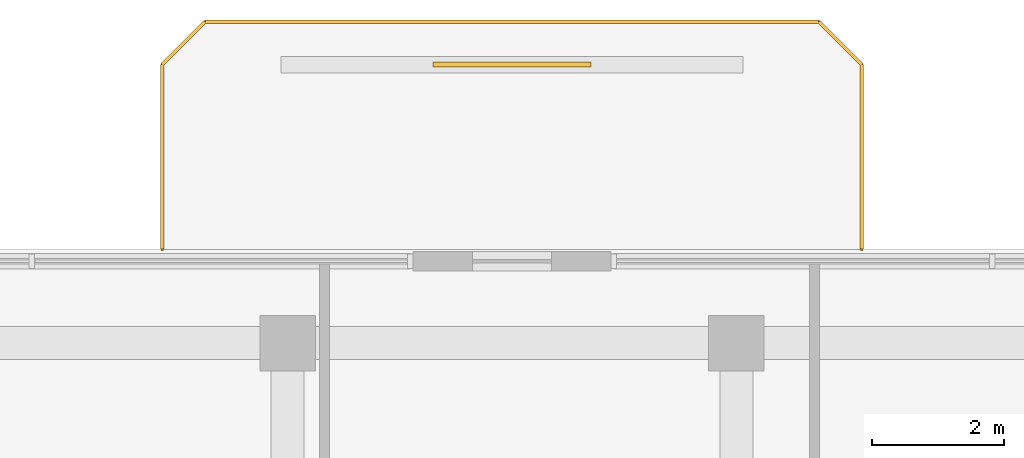
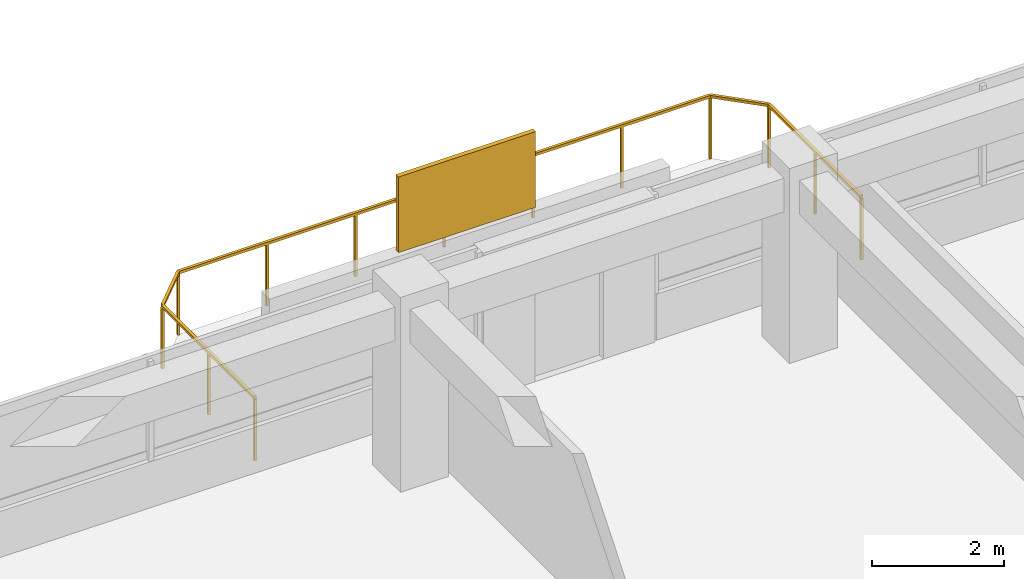
# One storey, part 14 of 14: 1 railing, 1 shading device.
"""IFC4 building model written with IfcOpenShell, lengths in metres."""

import ifcopenshell
import ifcopenshell.guid

model = None  # the IFC model being written
_history = None  # IfcOwnerHistory: only IFC2X3 demands one
_inside = {}  # id of a spatial element -> (the spatial element, [elements in it])
_under = {}  # id of a project, library or spatial element -> (it, [spatial elements below it])
_declared = {}  # id of a project -> (the project, [libraries it declares])
_typed = {}  # id of a type object -> (the type object, [elements of that type])
_made_of = {}  # id of a material, layer set ... -> (it, [elements and type objects made of it])


def new_model(schema):
    """Start an empty IFC model of exactly this schema.

    Asked for "IFC4X3", IfcOpenShell would pick the latest addendum, in which some entities
    have other attributes; the version numbers below select the first issue.
    IFC2X3 requires an IfcOwnerHistory on every rooted entity: one is made here for all.
    """
    global model, _history
    if schema == "IFC4X3":
        model = ifcopenshell.file(schema_version=(4, 3, 0, 0))
    else:
        model = ifcopenshell.file(schema=schema)
    _inside.clear()
    _under.clear()
    _declared.clear()
    _typed.clear()
    _made_of.clear()
    _history = None
    if model.schema == "IFC2X3":
        org = make("IfcOrganization", Name="unknown")
        user = make(
            "IfcPersonAndOrganization",
            ThePerson=make("IfcPerson", FamilyName="unknown"),
            TheOrganization=org,
        )
        app = make(
            "IfcApplication",
            ApplicationDeveloper=org,
            Version="unknown",
            ApplicationFullName="unknown",
            ApplicationIdentifier="unknown",
        )
        _history = make(
            "IfcOwnerHistory",
            OwningUser=user,
            OwningApplication=app,
            ChangeAction="ADDED",
            CreationDate=0,
        )
    return model


def make(cls, **values):
    """One entity of the class cls with the attributes given. An attribute that is None is left unset."""
    return model.create_entity(
        cls, **{name: value for name, value in values.items() if value is not None}
    )


def rooted(cls, **values):
    """An entity with a GlobalId (a new one), such as an element, a storey or a relation."""
    return make(cls, GlobalId=ifcopenshell.guid.new(), OwnerHistory=_history, **values)


def si_unit(unit_type, name, prefix=None):
    """IfcSIUnit, for example si_unit("LENGTHUNIT", "METRE", prefix="MILLI")."""
    return make("IfcSIUnit", UnitType=unit_type, Prefix=prefix, Name=name)


def derived_unit(unit_type, elements):
    """IfcDerivedUnit: a product of units, each with its exponent."""
    return make(
        "IfcDerivedUnit",
        Elements=[
            make("IfcDerivedUnitElement", Unit=unit, Exponent=power)
            for unit, power in elements
        ],
        UnitType=unit_type,
    )


def assignment(units):
    """IfcUnitAssignment: the units of a project."""
    return None if units is None else make("IfcUnitAssignment", Units=units)


def point(xyz):
    """IfcCartesianPoint."""
    return None if xyz is None else make("IfcCartesianPoint", Coordinates=xyz)


def direction(xyz):
    """IfcDirection."""
    return None if xyz is None else make("IfcDirection", DirectionRatios=xyz)


def frame(location, z_axis=None, x_axis=None):
    """IfcAxis2Placement3D, a coordinate frame: its origin and axes. An axis left out is left unset."""
    return make(
        "IfcAxis2Placement3D",
        Location=point(location),
        Axis=direction(z_axis),
        RefDirection=direction(x_axis),
    )


def frame_2d(location, x_axis=None):
    """IfcAxis2Placement2D, a coordinate frame in the plane: its origin and x axis."""
    return make(
        "IfcAxis2Placement2D", Location=point(location), RefDirection=direction(x_axis)
    )


def origin():
    """The frame at (0, 0, 0) with its axes left unset."""
    return frame((0.0, 0.0, 0.0))


def origin_2d():
    """The frame at (0, 0) in the plane with its x axis left unset."""
    return frame_2d((0.0, 0.0))


def place(relative_to, where):
    """IfcLocalPlacement: puts the frame where relative to a parent placement (None: the world)."""
    return make(
        "IfcLocalPlacement", PlacementRelTo=relative_to, RelativePlacement=where
    )


def context(
    kind, dimensions, precision=None, world=None, true_north=None, identifier=None
):
    """IfcGeometricRepresentationContext, for example the 3D "Model" context."""
    return make(
        "IfcGeometricRepresentationContext",
        ContextIdentifier=identifier,
        ContextType=kind,
        CoordinateSpaceDimension=dimensions,
        Precision=precision,
        WorldCoordinateSystem=world,
        TrueNorth=true_north,
    )


def subcontext(parent, identifier, kind, view, scale=None):
    """IfcGeometricRepresentationSubContext, for example "Body" below "Model"."""
    return make(
        "IfcGeometricRepresentationSubContext",
        ContextIdentifier=identifier,
        ContextType=kind,
        ParentContext=parent,
        TargetScale=scale,
        TargetView=view,
    )


def project(units=None, contexts=None):
    """IfcProject with its units and contexts."""
    return rooted(
        "IfcProject",
        Name="project",
        RepresentationContexts=contexts,
        UnitsInContext=assignment(units),
    )


def spatial(cls, under=None, at=None, **own):
    """A site, building, storey or space (cls), placed at a placement, below another one or the project."""
    s = rooted(cls, ObjectPlacement=at, **own)
    if under is not None:
        _under.setdefault(under.id(), (under, []))[1].append(s)
    return s


def profile(cls, at=None, kind="AREA", **sizes):
    """A parametric profile (cls). Its sizes go by their IFC names, for example OverallWidth=200.0."""
    return make(cls, ProfileType=kind, Position=at, **sizes)


def rectangle(**sizes):
    """IfcRectangleProfileDef."""
    return profile("IfcRectangleProfileDef", **sizes)


def extrude(swept, where, along, depth):
    """IfcExtrudedAreaSolid: the profile swept, set in the frame where, extruded along a direction by depth."""
    return make(
        "IfcExtrudedAreaSolid",
        SweptArea=swept,
        Position=where,
        ExtrudedDirection=direction(along),
        Depth=depth,
    )


def shape(context_of_items, identifier, shape_type, items):
    """IfcShapeRepresentation: the items that make up one representation, for example the "Body"."""
    return make(
        "IfcShapeRepresentation",
        ContextOfItems=context_of_items,
        RepresentationIdentifier=identifier,
        RepresentationType=shape_type,
        Items=items,
    )


def material(Name=None, Category=None):
    """IfcMaterial."""
    return make("IfcMaterial", Name=Name, Category=Category)


def layer(
    of_material, thickness, ventilated=None, Name=None, Category=None, Priority=None
):
    """IfcMaterialLayer: one layer of a wall or slab, of a material (None: an air gap)."""
    return make(
        "IfcMaterialLayer",
        Material=of_material,
        LayerThickness=thickness,
        IsVentilated=ventilated,
        Name=Name,
        Category=Category,
        Priority=Priority,
    )


def layer_set(layers, Name=None):
    """IfcMaterialLayerSet."""
    return make("IfcMaterialLayerSet", MaterialLayers=layers, LayerSetName=Name)


def made_of(thing, what):
    """Note that an element or type object is made of a material, layer set ...; save() writes the relation."""
    if what is not None:
        _made_of.setdefault(what.id(), (what, []))[1].append(thing)
    return thing


def type_object(cls, material=None, **own):
    """A type object (cls), such as IfcWallType, which elements share."""
    return made_of(rooted(cls, **own), material)


def element(
    cls,
    number,
    at=None,
    inside=None,
    cuts=None,
    type_object=None,
    material=None,
    context=None,
    identifier="Body",
    shape_type=None,
    held_by="IfcProductDefinitionShape",
    body=None,
    shapes=None,
    **own,
):
    """One element of the class cls, such as IfcWall. Its Tag is "e" and its number.

    at: its placement. inside: the storey or other place that contains it. cuts: it is an
    opening in that element (IfcRelVoidsElement). A single representation is given by context,
    identifier, shape_type and body (its items); several are given by shapes. held_by: the class
    of the entity that holds the representations. save() writes the other relations.
    """
    e = rooted(cls, Tag="e%d" % number, ObjectPlacement=at, **own)
    if body is not None:
        shapes = [shape(context, identifier, shape_type, body)]
    if shapes is not None:
        e.Representation = make(held_by, Representations=shapes)
    if inside is not None:
        _inside.setdefault(inside.id(), (inside, []))[1].append(e)
    if cuts is not None:
        rooted(
            "IfcRelVoidsElement", RelatingBuildingElement=cuts, RelatedOpeningElement=e
        )
    if type_object is not None:
        _typed.setdefault(type_object.id(), (type_object, []))[1].append(e)
    return made_of(e, material)


def aggregate(whole, parts):
    """IfcRelAggregates: a whole, such as a stair, and the parts it consists of."""
    return rooted("IfcRelAggregates", RelatingObject=whole, RelatedObjects=parts)


def save(model, path):
    """Write the relations noted so far, then the file.

    IfcRelAggregates (storeys below a building ...), IfcRelContainedInSpatialStructure (elements
    in a storey), IfcRelDefinesByType, IfcRelAssociatesMaterial and IfcRelDeclares: one each for
    every whole, place, type object, material and project.
    """
    for whole, parts in _under.values():
        aggregate(whole, parts)
    for where, things in _inside.values():
        rooted(
            "IfcRelContainedInSpatialStructure",
            RelatedElements=things,
            RelatingStructure=where,
        )
    for kind, things in _typed.values():
        rooted("IfcRelDefinesByType", RelatedObjects=things, RelatingType=kind)
    for what, things in _made_of.values():
        rooted("IfcRelAssociatesMaterial", RelatedObjects=things, RelatingMaterial=what)
    for by, libraries in _declared.values():
        rooted("IfcRelDeclares", RelatingContext=by, RelatedDefinitions=libraries)
    model.write(path)


model = new_model("IFC4")

# Units and contexts
model_context = context("Model", 3, precision=1e-05, world=origin(), true_north=direction((0.0, 1.0)))
body_context = subcontext(model_context, "Body", "Model", "MODEL_VIEW")
ifc_project = project(units=[si_unit("LENGTHUNIT", "METRE"), si_unit("AREAUNIT", "SQUARE_METRE"), si_unit("VOLUMEUNIT", "CUBIC_METRE"), si_unit("PLANEANGLEUNIT", "RADIAN"), si_unit("MASSUNIT", "GRAM", prefix="KILO"), derived_unit("THERMALTRANSMITTANCEUNIT", [(si_unit("POWERUNIT", "WATT"), 1), (si_unit("LENGTHUNIT", "METRE"), -2), (si_unit("THERMODYNAMICTEMPERATUREUNIT", "KELVIN"), -1)])], contexts=[model_context])

# Site, building, storey
site_placement = place(None, origin())
site = spatial("IfcSite", under=ifc_project, at=site_placement, CompositionType="ELEMENT")
building_placement = place(site_placement, origin())
building = spatial("IfcBuilding", under=site, at=building_placement, Name="Koralith Skygarden Medical Center", CompositionType="ELEMENT")
storey_placement = place(building_placement, frame((0.0, 0.0, 260.820068359375)))
storey = spatial("IfcBuildingStorey", under=building, at=storey_placement, Name="L67", CompositionType="ELEMENT", Elevation=260.820068359375)

# Railing
ifc_material_1 = material(Name="Steel ASTM A500 Grade C", Category="steel")
railing_type = type_object("IfcRailingType", Name="Outdoor Terrace & Balcony Safety Guardrail 1180", PredefinedType="GUARDRAIL", material=ifc_material_1)
railing_placement = place(storey_placement, frame((42.300048828125, 47.39990234375, 0.0)))
element("IfcRailing", 1, at=railing_placement, inside=storey, type_object=railing_type, Name="L67 N Balcony Perimeter Guardrail", PredefinedType="GUARDRAIL", context=body_context, shape_type="SweptSolid", body=[
    extrude(rectangle(XDim=0.050048828125, YDim=0.050048828125, at=origin_2d()), frame((0.0, 0.001953125, 1.15478515625), z_axis=(0.0, 1.0, 0.0), x_axis=(-1.0, 0.0, 0.0)), (0.0, 0.0, 1.0), 2.796142578125),
    extrude(rectangle(XDim=0.050048828125, YDim=0.050048828125, at=origin_2d()), frame((-0.00146484375, 2.801513671875, 1.15478515625), z_axis=(-0.707106781187, 0.707106781187, 0.0), x_axis=(-0.707106781187, -0.707106781187, 0.0)), (0.0, 0.0, 1.0), 0.91552734375),
    extrude(rectangle(XDim=0.050048828125, YDim=0.050048828125, at=origin_2d()), frame((-0.652099609375, 3.4501953125, 1.15478515625), z_axis=(-1.0, 0.0, 0.0), x_axis=(0.0, -1.0, 0.0)), (0.0, 0.0, 1.0), 9.2958984375),
    extrude(rectangle(XDim=0.050048828125, YDim=0.050048828125, at=origin_2d()), frame((-9.951416015625, 3.44873046875, 1.15478515625), z_axis=(-0.707106781187, -0.707106781187, 0.0), x_axis=(0.707106781187, -0.707106781187, 0.0)), (0.0, 0.0, 1.0), 0.91552734375),
    extrude(rectangle(XDim=0.050048828125, YDim=0.050048828125, at=origin_2d()), frame((-10.60009765625, 2.798095703125, 1.15478515625), z_axis=(0.0, -1.0, 0.0), x_axis=(1.0, 0.0, 0.0)), (0.0, 0.0, 1.0), 2.796142578125),
    extrude(rectangle(XDim=0.0419921875, YDim=0.0419921875, at=origin_2d()), origin(), (0.0, 0.0, 1.0), 1.1279296875),
    extrude(rectangle(XDim=0.0419921875, YDim=0.0419921875, at=origin_2d()), frame((0.0, 1.39990234375, 0.0)), (0.0, 0.0, 1.0), 1.1279296875),
    extrude(rectangle(XDim=0.0419921875, YDim=0.0419921875, at=origin_2d()), frame((0.0, 2.800048828125, 0.0)), (0.0, 0.0, 1.0), 1.1279296875),
    extrude(rectangle(XDim=0.0419921875, YDim=0.0419921875, at=origin_2d()), frame((-0.650146484375, 3.4501953125, 0.0)), (0.0, 0.0, 1.0), 1.1279296875),
    extrude(rectangle(XDim=0.0419921875, YDim=0.0419921875, at=origin_2d()), frame((-2.2001953125, 3.4501953125, 0.0)), (0.0, 0.0, 1.0), 1.1279296875),
    extrude(rectangle(XDim=0.0419921875, YDim=0.0419921875, at=origin_2d()), frame((-3.75, 3.4501953125, 0.0)), (0.0, 0.0, 1.0), 1.1279296875),
    extrude(rectangle(XDim=0.0419921875, YDim=0.0419921875, at=origin_2d()), frame((-5.300048828125, 3.4501953125, 0.0)), (0.0, 0.0, 1.0), 1.1279296875),
    extrude(rectangle(XDim=0.0419921875, YDim=0.0419921875, at=origin_2d()), frame((-6.85009765625, 3.4501953125, 0.0)), (0.0, 0.0, 1.0), 1.1279296875),
    extrude(rectangle(XDim=0.0419921875, YDim=0.0419921875, at=origin_2d()), frame((-8.39990234375, 3.4501953125, 0.0)), (0.0, 0.0, 1.0), 1.1279296875),
    extrude(rectangle(XDim=0.0419921875, YDim=0.0419921875, at=origin_2d()), frame((-9.949951171875, 3.4501953125, 0.0)), (0.0, 0.0, 1.0), 1.1279296875),
    extrude(rectangle(XDim=0.0419921875, YDim=0.0419921875, at=origin_2d()), frame((-10.60009765625, 2.800048828125, 0.0)), (0.0, 0.0, 1.0), 1.1279296875),
    extrude(rectangle(XDim=0.0419921875, YDim=0.0419921875, at=origin_2d()), frame((-10.60009765625, 1.39990234375, 0.0)), (0.0, 0.0, 1.0), 1.1279296875),
    extrude(rectangle(XDim=0.0419921875, YDim=0.0419921875, at=origin_2d()), frame((-10.60009765625, 0.0, 0.0)), (0.0, 0.0, 1.0), 1.1279296875),
])

# Shading device
ifc_material_2 = material(Name="Aluminium 6063-T6", Category="aluminium")
ifc_layer = layer(ifc_material_2, 0.080078125)
ifc_layer_set = layer_set([ifc_layer], Name="Aluminium 6063-T6")
shading_device_type = type_object("IfcShadingDeviceType", Name="Perforated Biophilic Balcony Trellis Screen", PredefinedType="USERDEFINED", material=ifc_layer_set)
shading_device_placement = place(storey_placement, frame((37.0, 50.199951171875, 0.719970703125), z_axis=(0.0, 0.0, 1.0), x_axis=(1.0, 0.0, 0.0)))
element("IfcShadingDevice", 2, at=shading_device_placement, inside=storey, type_object=shading_device_type, Name="L67 N Biophilic Balcony Trellis Screen", ObjectType="HURRICANE SCREEN", PredefinedType="USERDEFINED", context=body_context, shape_type="SweptSolid", body=[
    extrude(rectangle(XDim=2.39990234375, YDim=0.080078125, at=origin_2d()), origin(), (0.0, 0.0, 1.0), 1.39990234375),
])

save(model, "model.ifc")
